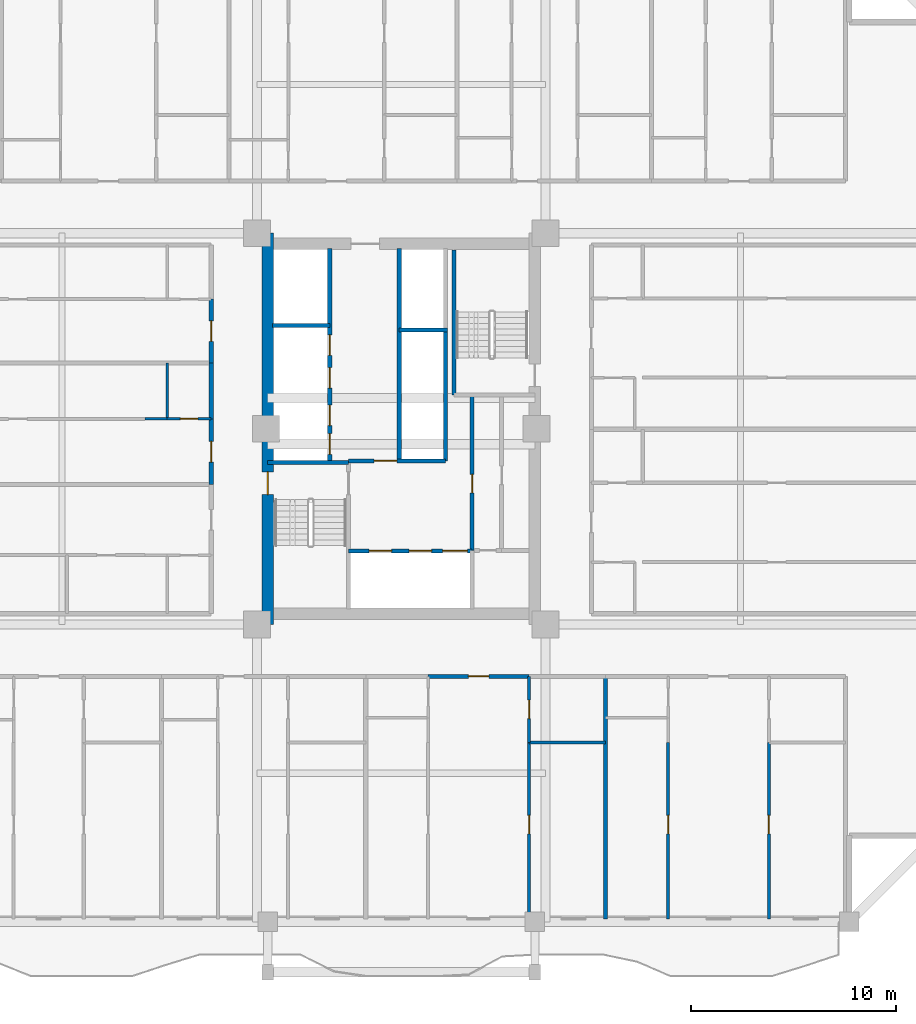
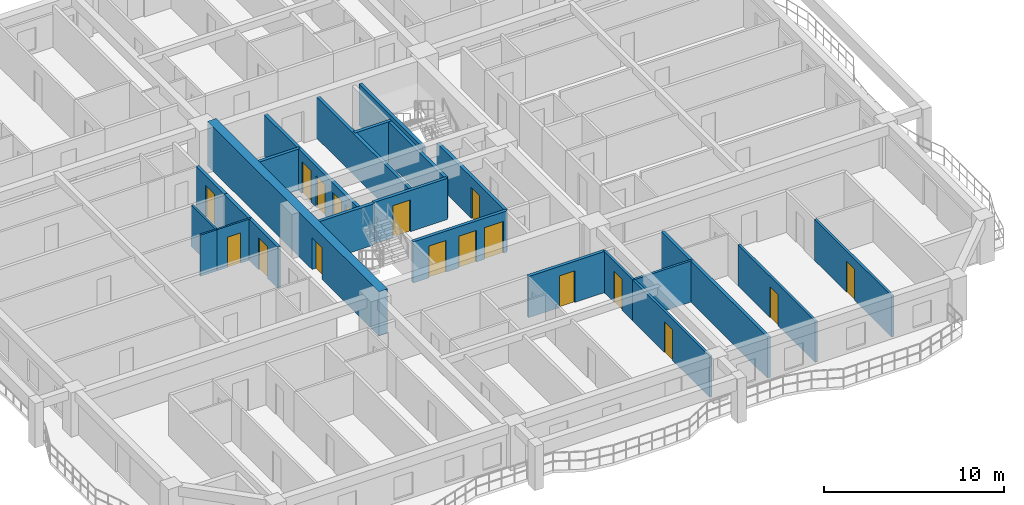
# One storey, part 4 of 14: 24 walls, 18 doors, 18 openings.
"""IFC4 building model written with IfcOpenShell, lengths in metres."""

from ifc_helpers import new_model, si_unit, direction, frame, frame_2d, origin, place, context, subcontext, project, spatial, rectangle, extrude, source, transform, mapped, material, layer, layer_set, type_object, element, fill, save


model = new_model("IFC4")

# Units and contexts
model_context = context("Model", 3, precision=1e-05, world=origin(), true_north=direction((0.0, 1.0)))
body_context = subcontext(model_context, "Body", "Model", "MODEL_VIEW")
ifc_project = project(units=[si_unit("LENGTHUNIT", "METRE"), si_unit("AREAUNIT", "SQUARE_METRE"), si_unit("VOLUMEUNIT", "CUBIC_METRE"), si_unit("PLANEANGLEUNIT", "RADIAN"), si_unit("MASSUNIT", "GRAM", prefix="KILO")], contexts=[model_context])

# Site, building, storey
site_placement = place(None, origin())
site = spatial("IfcSite", under=ifc_project, at=site_placement, CompositionType="ELEMENT")
building_placement = place(site_placement, origin())
building = spatial("IfcBuilding", under=site, at=building_placement, Name="Saelheon Loggia Tower", CompositionType="ELEMENT")
storey_placement = place(building_placement, frame((0.0, 0.0, 86.85009765625)))
storey = spatial("IfcBuildingStorey", under=building, at=storey_placement, Name="L27", CompositionType="ELEMENT", Elevation=86.85009765625)

# Wall, opening, door
ifc_material_1 = material(Name="Concrete C50/60", Category="concrete")
ifc_layer_1 = layer(ifc_material_1, 0.550048828125)
ifc_layer_set_1 = layer_set([ifc_layer_1], Name="Concrete C50/60")
wall_type_1 = type_object("IfcWallType", Name="Wall_CoreShear_550", PredefinedType="SHEAR", material=ifc_layer_set_1)
wall_1_placement = place(storey_placement, frame((31.5, 17.47998046875, 0.0), z_axis=(0.0, 0.0, 1.0), x_axis=(0.0, 1.0, 0.0)))
wall_1 = element("IfcWall", 1, at=wall_1_placement, inside=storey, type_object=wall_type_1, Name="L27 Core Shear Wall West", PredefinedType="SHEAR", context=body_context, shape_type="SweptSolid", body=[
    extrude(rectangle(XDim=19.0400390625, YDim=0.550048828125, at=frame_2d((9.52001953125, 0.0))), origin(), (0.0, 0.0, 1.0), 3.0),
])
opening_1_placement = place(wall_1_placement, frame((6.320068359375, 0.0, 0.0)))
opening_1 = element("IfcOpeningElement", 2, at=opening_1_placement, cuts=wall_1, Name="Opening D-FD2", PredefinedType="OPENING", context=body_context, shape_type="SweptSolid", body=[
    extrude(rectangle(XDim=1.10009765625, YDim=2.14990234375, at=frame_2d((0.550048828125, 1.074951171875))), frame((0.0, 0.287109375, 0.0), z_axis=(0.0, -1.0, 0.0), x_axis=(1.0, 0.0, 0.0)), (0.0, 0.0, 1.0), 0.573974609375),
])
ifc_material_2 = material(Name="Galvanised Steel Fire Door", Category="steel")
door_type_1 = type_object("IfcDoorType", Name="Door_Fire_FD60_1100", OperationType="NOTDEFINED", PredefinedType="DOOR", material=ifc_material_2)
shared_shape_1 = source(origin(), body_context, "Body", "SweptSolid", [
    extrude(rectangle(XDim=1.10009765625, YDim=2.14990234375, at=frame_2d((0.550048828125, 1.074951171875))), frame((0.0, 0.02490234375, 0.0), z_axis=(0.0, -1.0, 0.0), x_axis=(1.0, 0.0, 0.0)), (0.0, 0.0, 1.0), 0.050048828125),
])
door_1_placement = place(opening_1_placement, origin())
door_1 = element("IfcDoor", 3, at=door_1_placement, inside=storey, type_object=door_type_1, Name="L27 Stair ST1 Corridor Door", OperationType="SINGLE_SWING_LEFT", OverallHeight=2.14990234375, OverallWidth=1.10009765625, PredefinedType="DOOR", context=body_context, shape_type="MappedRepresentation", body=[
    mapped(shared_shape_1, transform((0.0, 0.0, 0.0), scale=1.0)),
])
fill(opening_1, door_1)

# Wall
ifc_material_3 = material(Name="Lightweight Autoclaved Aerated Concrete Block and Acoustic Gypsum", Category="concrete")
ifc_layer_2 = layer(ifc_material_3, 0.14990234375)
ifc_layer_set_2 = layer_set([ifc_layer_2], Name="Lightweight Autoclaved Aerated Concrete Block and Acoustic Gypsum")
wall_type_2 = type_object("IfcWallType", Name="Wall_Part_150", PredefinedType="PARTITIONING", material=ifc_layer_set_2)
wall_2_placement = place(storey_placement, frame((44.219970703125, 11.72998046875, 0.0), z_axis=(0.0, 0.0, 1.0), x_axis=(1.0, 0.0, 0.0)))
element("IfcWall", 4, at=wall_2_placement, inside=storey, type_object=wall_type_2, Name="L27 S Partition V29", PredefinedType="PARTITIONING", context=body_context, shape_type="SweptSolid", body=[
    extrude(rectangle(XDim=3.725341796875, YDim=0.14990234375, at=frame_2d((1.86279296875, 0.0))), origin(), (0.0, 0.0, 1.0), 2.789794921875),
])

# Wall, opening, door
wall_3_placement = place(storey_placement, frame((44.219970703125, 14.949951171875, 0.0), z_axis=(0.0, 0.0, 1.0), x_axis=(0.0, -1.0, 0.0)))
wall_3 = element("IfcWall", 5, at=wall_3_placement, inside=storey, type_object=wall_type_2, Name="L27 S Partition U33", PredefinedType="PARTITIONING", context=body_context, shape_type="SweptSolid", body=[
    extrude(rectangle(XDim=3.219970703125, YDim=0.14990234375, at=frame_2d((1.60986328125, 0.0))), origin(), (0.0, 0.0, 1.0), 2.789794921875),
])
opening_2_placement = place(wall_3_placement, frame((1.159912109375, 0.0, 0.0)))
opening_2 = element("IfcOpeningElement", 6, at=opening_2_placement, cuts=wall_3, Name="Opening D-IN2", PredefinedType="OPENING", context=body_context, shape_type="SweptSolid", body=[
    extrude(rectangle(XDim=0.89990234375, YDim=2.10009765625, at=frame_2d((0.449951171875, 1.050048828125))), frame((0.0, 0.0869140625, 0.0), z_axis=(0.0, -1.0, 0.0), x_axis=(1.0, 0.0, 0.0)), (0.0, 0.0, 1.0), 0.173828125),
])
ifc_material_4 = material(Name="Engineered Oak Flush Door", Category="timber")
door_type_2 = type_object("IfcDoorType", Name="Door_Int_900", OperationType="NOTDEFINED", PredefinedType="DOOR", material=ifc_material_4)
shared_shape_2 = source(origin(), body_context, "Body", "SweptSolid", [
    extrude(rectangle(XDim=0.89990234375, YDim=2.10009765625, at=frame_2d((0.449951171875, 1.050048828125))), frame((0.0, 0.02490234375, 0.0), z_axis=(0.0, -1.0, 0.0), x_axis=(1.0, 0.0, 0.0)), (0.0, 0.0, 1.0), 0.050048828125),
])
door_2_placement = place(opening_2_placement, origin())
door_2 = element("IfcDoor", 7, at=door_2_placement, inside=storey, type_object=door_type_2, Name="Unit U03 Kitchen Door", OperationType="SINGLE_SWING_RIGHT", OverallHeight=2.10009765625, OverallWidth=0.89990234375, PredefinedType="DOOR", context=body_context, shape_type="MappedRepresentation", body=[
    mapped(shared_shape_2, transform((0.0, 0.0, 0.0), scale=1.0)),
])
fill(opening_2, door_2)

wall_4_placement = place(storey_placement, frame((44.219970703125, 11.72998046875, 0.0), z_axis=(0.0, 0.0, 1.0), x_axis=(0.0, -1.0, 0.0)))
wall_4 = element("IfcWall", 8, at=wall_4_placement, inside=storey, type_object=wall_type_2, Name="L27 S Partition U34", PredefinedType="PARTITIONING", context=body_context, shape_type="SweptSolid", body=[
    extrude(rectangle(XDim=8.580078125, YDim=0.14990234375, at=frame_2d((4.2900390625, 0.0))), origin(), (0.0, 0.0, 1.0), 2.789794921875),
])
opening_3_placement = place(wall_4_placement, frame((3.5400390625, 0.0, 0.0)))
opening_3 = element("IfcOpeningElement", 9, at=opening_3_placement, cuts=wall_4, Name="Opening D-IN2", PredefinedType="OPENING", context=body_context, shape_type="SweptSolid", body=[
    extrude(rectangle(XDim=0.89990234375, YDim=2.10009765625, at=frame_2d((0.449951171875, 1.050048828125))), frame((0.0, 0.0869140625, 0.0), z_axis=(0.0, -1.0, 0.0), x_axis=(1.0, 0.0, 0.0)), (0.0, 0.0, 1.0), 0.173828125),
])
door_3_placement = place(opening_3_placement, origin())
door_3 = element("IfcDoor", 10, at=door_3_placement, inside=storey, type_object=door_type_2, Name="Unit U03 Bedroom 1 Door", OperationType="SINGLE_SWING_LEFT", OverallHeight=2.10009765625, OverallWidth=0.89990234375, PredefinedType="DOOR", context=body_context, shape_type="MappedRepresentation", body=[
    mapped(shared_shape_2, transform((0.0, 0.0, 0.0), scale=1.0)),
])
fill(opening_3, door_3)

wall_5_placement = place(storey_placement, frame((50.980712890625, 11.72998046875, 0.0), z_axis=(0.0, 0.0, 1.0), x_axis=(0.0, -1.0, 0.0)))
wall_5 = element("IfcWall", 11, at=wall_5_placement, inside=storey, type_object=wall_type_2, Name="L27 S Partition U43", PredefinedType="PARTITIONING", context=body_context, shape_type="SweptSolid", body=[
    extrude(rectangle(XDim=8.580078125, YDim=0.14990234375, at=frame_2d((4.2900390625, 0.0))), origin(), (0.0, 0.0, 1.0), 2.789794921875),
])
opening_4_placement = place(wall_5_placement, frame((3.5400390625, 0.0, 0.0)))
opening_4 = element("IfcOpeningElement", 12, at=opening_4_placement, cuts=wall_5, Name="Opening D-IN2", PredefinedType="OPENING", context=body_context, shape_type="SweptSolid", body=[
    extrude(rectangle(XDim=0.89990234375, YDim=2.10009765625, at=frame_2d((0.449951171875, 1.050048828125))), frame((0.0, 0.0869140625, 0.0), z_axis=(0.0, -1.0, 0.0), x_axis=(1.0, 0.0, 0.0)), (0.0, 0.0, 1.0), 0.173828125),
])
door_4_placement = place(opening_4_placement, origin())
door_4 = element("IfcDoor", 13, at=door_4_placement, inside=storey, type_object=door_type_2, Name="Unit U04 Bedroom 2 Door", OperationType="SINGLE_SWING_RIGHT", OverallHeight=2.10009765625, OverallWidth=0.89990234375, PredefinedType="DOOR", context=body_context, shape_type="MappedRepresentation", body=[
    mapped(shared_shape_2, transform((0.0, 0.0, 0.0), scale=1.0)),
])
fill(opening_4, door_4)

wall_6_placement = place(storey_placement, frame((55.884033203125, 11.72998046875, 0.0), z_axis=(0.0, 0.0, 1.0), x_axis=(0.0, -1.0, 0.0)))
wall_6 = element("IfcWall", 14, at=wall_6_placement, inside=storey, type_object=wall_type_2, Name="L27 S Partition U45", PredefinedType="PARTITIONING", context=body_context, shape_type="SweptSolid", body=[
    extrude(rectangle(XDim=8.580078125, YDim=0.14990234375, at=frame_2d((4.2900390625, 0.0))), origin(), (0.0, 0.0, 1.0), 2.789794921875),
])
opening_5_placement = place(wall_6_placement, frame((3.5400390625, 0.0, 0.0)))
opening_5 = element("IfcOpeningElement", 15, at=opening_5_placement, cuts=wall_6, Name="Opening D-IN2", PredefinedType="OPENING", context=body_context, shape_type="SweptSolid", body=[
    extrude(rectangle(XDim=0.89990234375, YDim=2.10009765625, at=frame_2d((0.449951171875, 1.050048828125))), frame((0.0, 0.0869140625, 0.0), z_axis=(0.0, -1.0, 0.0), x_axis=(1.0, 0.0, 0.0)), (0.0, 0.0, 1.0), 0.173828125),
])
door_5_placement = place(opening_5_placement, origin())
door_5 = element("IfcDoor", 16, at=door_5_placement, inside=storey, type_object=door_type_2, Name="Unit U04 Bedroom 1 Door", OperationType="SINGLE_SWING_RIGHT", OverallHeight=2.10009765625, OverallWidth=0.89990234375, PredefinedType="DOOR", context=body_context, shape_type="MappedRepresentation", body=[
    mapped(shared_shape_2, transform((0.0, 0.0, 0.0), scale=1.0)),
])
fill(opening_5, door_5)

ifc_material_5 = material(Name="Double Acoustic Stud and Fireboard Partition", Category="gypsum")
ifc_layer_3 = layer(ifc_material_5, 0.199951171875)
ifc_layer_set_3 = layer_set([ifc_layer_3], Name="Double Acoustic Stud and Fireboard Partition")
wall_type_3 = type_object("IfcWallType", Name="Wall_Party_200", PredefinedType="PARTITIONING", material=ifc_layer_set_3)
wall_7_placement = place(storey_placement, frame((39.305908203125, 14.949951171875, 0.0), z_axis=(0.0, 0.0, 1.0), x_axis=(1.0, 0.0, 0.0)))
wall_7 = element("IfcWall", 17, at=wall_7_placement, inside=storey, type_object=wall_type_3, Name="L27 S Partition V26", PredefinedType="PARTITIONING", context=body_context, shape_type="SweptSolid", body=[
    extrude(rectangle(XDim=4.9140625, YDim=0.199951171875, at=frame_2d((2.45703125, 0.0))), origin(), (0.0, 0.0, 1.0), 2.789794921875),
])
opening_6_placement = place(wall_7_placement, frame((1.95703125, 0.0, 0.0)))
opening_6 = element("IfcOpeningElement", 18, at=opening_6_placement, cuts=wall_7, Name="Opening D-FD1", PredefinedType="OPENING", context=body_context, shape_type="SweptSolid", body=[
    extrude(rectangle(XDim=1.0, YDim=2.14990234375, at=frame_2d((0.5, 1.074951171875))), frame((0.0, 0.112060546875, 0.0), z_axis=(0.0, -1.0, 0.0), x_axis=(1.0, 0.0, 0.0)), (0.0, 0.0, 1.0), 0.223876953125),
])
ifc_material_6 = material(Name="Fire-Rated Engineered Timber Entrance Door", Category="wood")
door_type_3 = type_object("IfcDoorType", Name="Door_Flat_FD30S", OperationType="NOTDEFINED", PredefinedType="DOOR", material=ifc_material_6)
shared_shape_3 = source(origin(), body_context, "Body", "SweptSolid", [
    extrude(rectangle(XDim=1.0, YDim=2.14990234375, at=frame_2d((0.5, 1.074951171875))), frame((0.0, 0.02490234375, 0.0), z_axis=(0.0, -1.0, 0.0), x_axis=(1.0, 0.0, 0.0)), (0.0, 0.0, 1.0), 0.050048828125),
])
door_6_placement = place(opening_6_placement, origin())
door_6 = element("IfcDoor", 19, at=door_6_placement, inside=storey, type_object=door_type_3, Name="Unit U03 Entrance Door", OperationType="SINGLE_SWING_LEFT", OverallHeight=2.14990234375, OverallWidth=1.0, PredefinedType="DOOR", context=body_context, shape_type="MappedRepresentation", body=[
    mapped(shared_shape_3, transform((0.0, 0.0, 0.0), scale=1.0)),
])
fill(opening_6, door_6)

# Wall
wall_8_placement = place(storey_placement, frame((47.9453125, 14.949951171875, 0.0), z_axis=(0.0, 0.0, 1.0), x_axis=(0.0, -1.0, 0.0)))
element("IfcWall", 20, at=wall_8_placement, inside=storey, type_object=wall_type_3, Name="L27 S Partition U35", PredefinedType="PARTITIONING", context=body_context, shape_type="SweptSolid", body=[
    extrude(rectangle(XDim=11.800048828125, YDim=0.199951171875, at=frame_2d((5.89990234375, 0.0))), origin(), (0.0, 0.0, 1.0), 2.789794921875),
])

# Wall, opening, door
wall_9_placement = place(storey_placement, frame((28.75, 24.282470703125, 0.0), z_axis=(0.0, 0.0, 1.0), x_axis=(0.0, 1.0, 0.0)))
wall_9 = element("IfcWall", 21, at=wall_9_placement, inside=storey, type_object=wall_type_3, Name="L27 W Partition V12", PredefinedType="PARTITIONING", context=body_context, shape_type="SweptSolid", body=[
    extrude(rectangle(XDim=3.19873046875, YDim=0.199951171875, at=frame_2d((1.599365234375, 0.0))), origin(), (0.0, 0.0, 1.0), 2.789794921875),
])
opening_7_placement = place(wall_9_placement, frame((1.099365234375, 0.0, 0.0)))
opening_7 = element("IfcOpeningElement", 22, at=opening_7_placement, cuts=wall_9, Name="Opening D-FD1", PredefinedType="OPENING", context=body_context, shape_type="SweptSolid", body=[
    extrude(rectangle(XDim=1.0, YDim=2.14990234375, at=frame_2d((0.5, 1.074951171875))), frame((0.0, 0.112060546875, 0.0), z_axis=(0.0, -1.0, 0.0), x_axis=(1.0, 0.0, 0.0)), (0.0, 0.0, 1.0), 0.223876953125),
])
door_7_placement = place(opening_7_placement, origin())
door_7 = element("IfcDoor", 23, at=door_7_placement, inside=storey, type_object=door_type_3, Name="Unit U10 Entrance Door", OperationType="SINGLE_SWING_RIGHT", OverallHeight=2.14990234375, OverallWidth=1.0, PredefinedType="DOOR", context=body_context, shape_type="MappedRepresentation", body=[
    mapped(shared_shape_3, transform((0.0, 0.0, 0.0), scale=1.0)),
])
fill(opening_7, door_7)

# Wall
wall_10_placement = place(storey_placement, frame((28.75, 27.481201171875, 0.0), z_axis=(0.0, 0.0, 1.0), x_axis=(0.0, 1.0, 0.0)))
element("IfcWall", 24, at=wall_10_placement, inside=storey, type_object=wall_type_3, Name="L27 W Partition V13", PredefinedType="PARTITIONING", context=body_context, shape_type="SweptSolid", body=[
    extrude(rectangle(XDim=2.724853515625, YDim=0.199951171875, at=frame_2d((1.3623046875, 0.0))), origin(), (0.0, 0.0, 1.0), 2.789794921875),
])

# Wall, opening, door
wall_11_placement = place(storey_placement, frame((28.75, 30.2060546875, 0.0), z_axis=(0.0, 0.0, 1.0), x_axis=(0.0, 1.0, 0.0)))
wall_11 = element("IfcWall", 25, at=wall_11_placement, inside=storey, type_object=wall_type_3, Name="L27 W Partition V19", PredefinedType="PARTITIONING", context=body_context, shape_type="SweptSolid", body=[
    extrude(rectangle(XDim=3.101806640625, YDim=0.199951171875, at=frame_2d((1.55078125, 0.0))), origin(), (0.0, 0.0, 1.0), 2.789794921875),
])
opening_8_placement = place(wall_11_placement, frame((1.05078125, 0.0, 0.0)))
opening_8 = element("IfcOpeningElement", 26, at=opening_8_placement, cuts=wall_11, Name="Opening D-FD1", PredefinedType="OPENING", context=body_context, shape_type="SweptSolid", body=[
    extrude(rectangle(XDim=1.0, YDim=2.14990234375, at=frame_2d((0.5, 1.074951171875))), frame((0.0, 0.112060546875, 0.0), z_axis=(0.0, -1.0, 0.0), x_axis=(1.0, 0.0, 0.0)), (0.0, 0.0, 1.0), 0.223876953125),
])
door_8_placement = place(opening_8_placement, origin())
door_8 = element("IfcDoor", 27, at=door_8_placement, inside=storey, type_object=door_type_3, Name="Unit U11 Entrance Door", OperationType="SINGLE_SWING_LEFT", OverallHeight=2.14990234375, OverallWidth=1.0, PredefinedType="DOOR", context=body_context, shape_type="MappedRepresentation", body=[
    mapped(shared_shape_3, transform((0.0, 0.0, 0.0), scale=1.0)),
])
fill(opening_8, door_8)

ifc_material_7 = material(Name="Concrete C40/50", Category="concrete")
ifc_layer_4 = layer(ifc_material_7, 0.199951171875)
ifc_layer_set_4 = layer_set([ifc_layer_4], Name="Concrete C40/50")
wall_type_4 = type_object("IfcWallType", Name="Wall_Shaft_200", PredefinedType="PARTITIONING", material=ifc_layer_set_4)
wall_12_placement = place(storey_placement, frame((41.449951171875, 21.080078125, 0.0), z_axis=(0.0, 0.0, 1.0), x_axis=(0.0, 1.0, 0.0)))
wall_12 = element("IfcWall", 28, at=wall_12_placement, inside=storey, type_object=wall_type_4, Name="CW-INT-L27-BOH-W1", PredefinedType="PARTITIONING", context=body_context, shape_type="SweptSolid", body=[
    extrude(rectangle(XDim=7.52001953125, YDim=0.199951171875, at=frame_2d((3.760009765625, 0.0))), origin(), (0.0, 0.0, 1.0), 2.789794921875),
])
opening_9_placement = place(wall_12_placement, frame((2.800048828125, 0.0, 0.0)))
opening_9 = element("IfcOpeningElement", 29, at=opening_9_placement, cuts=wall_12, Name="Opening D-RS1", PredefinedType="OPENING", context=body_context, shape_type="SweptSolid", body=[
    extrude(rectangle(XDim=0.89990234375, YDim=2.10009765625, at=frame_2d((0.449951171875, 1.050048828125))), frame((0.0, 0.112060546875, 0.0), z_axis=(0.0, -1.0, 0.0), x_axis=(1.0, 0.0, 0.0)), (0.0, 0.0, 1.0), 0.223876953125),
])
ifc_material_8 = material(Name="Galvanised Steel Riser Access Door", Category="steel")
door_type_4 = type_object("IfcDoorType", Name="Door_Riser_FD60", OperationType="NOTDEFINED", PredefinedType="DOOR", material=ifc_material_8)
door_9_placement = place(opening_9_placement, origin())
door_9 = element("IfcDoor", 30, at=door_9_placement, inside=storey, type_object=door_type_4, Name="L27 Service Store Door", OperationType="SINGLE_SWING_RIGHT", OverallHeight=2.10009765625, OverallWidth=0.89990234375, PredefinedType="DOOR", context=body_context, shape_type="MappedRepresentation", body=[
    mapped(shared_shape_2, transform((0.0, 0.0, 0.0), scale=1.0)),
])
fill(opening_9, door_9)

# Wall
wall_13_placement = place(storey_placement, frame((40.14990234375, 25.43994140625, 0.0), z_axis=(0.0, 0.0, 1.0), x_axis=(0.0, 1.0, 0.0)))
element("IfcWall", 31, at=wall_13_placement, inside=storey, type_object=wall_type_4, Name="L27 Core Service Passage West Wall", PredefinedType="PARTITIONING", context=body_context, shape_type="SweptSolid", body=[
    extrude(rectangle(XDim=6.360107421875, YDim=0.199951171875, at=frame_2d((3.18017578125, 0.0))), origin(), (0.0, 0.0, 1.0), 2.789794921875),
])

# Wall, openings, doors
wall_14_placement = place(storey_placement, frame((35.429931640625, 21.06005859375, 0.0), z_axis=(0.0, 0.0, 1.0), x_axis=(1.0, 0.0, 0.0)))
wall_14 = element("IfcWall", 32, at=wall_14_placement, inside=storey, type_object=wall_type_4, Name="L27 Firefighting Lift Shaft Front Wall", PredefinedType="PARTITIONING", context=body_context, shape_type="SweptSolid", body=[
    extrude(rectangle(XDim=6.02001953125, YDim=0.199951171875, at=frame_2d((3.010009765625, 0.0))), origin(), (0.0, 0.0, 1.0), 2.789794921875),
])
opening_10_placement = place(wall_14_placement, frame((1.0, 0.0, 0.0)))
opening_10 = element("IfcOpeningElement", 33, at=opening_10_placement, cuts=wall_14, Name="Opening LD2", PredefinedType="OPENING", context=body_context, shape_type="SweptSolid", body=[
    extrude(rectangle(XDim=1.10009765625, YDim=2.14990234375, at=frame_2d((0.550048828125, 1.074951171875))), frame((0.0, 0.112060546875, 0.0), z_axis=(0.0, -1.0, 0.0), x_axis=(1.0, 0.0, 0.0)), (0.0, 0.0, 1.0), 0.223876953125),
])
opening_11_placement = place(wall_14_placement, frame((2.949951171875, 0.0, 0.0)))
opening_11 = element("IfcOpeningElement", 34, at=opening_11_placement, cuts=wall_14, Name="Opening LD2", PredefinedType="OPENING", context=body_context, shape_type="SweptSolid", body=[
    extrude(rectangle(XDim=1.10009765625, YDim=2.14990234375, at=frame_2d((0.550048828125, 1.074951171875))), frame((0.0, 0.112060546875, 0.0), z_axis=(0.0, -1.0, 0.0), x_axis=(1.0, 0.0, 0.0)), (0.0, 0.0, 1.0), 0.223876953125),
])
opening_12_placement = place(wall_14_placement, frame((4.580078125, 0.0, 0.0)))
opening_12 = element("IfcOpeningElement", 35, at=opening_12_placement, cuts=wall_14, Name="Opening LD3", PredefinedType="OPENING", context=body_context, shape_type="SweptSolid", body=[
    extrude(rectangle(XDim=1.199951171875, YDim=2.14990234375, at=frame_2d((0.60009765625, 1.074951171875))), frame((0.0, 0.112060546875, 0.0), z_axis=(0.0, -1.0, 0.0), x_axis=(1.0, 0.0, 0.0)), (0.0, 0.0, 1.0), 0.223876953125),
])
ifc_material_9 = material(Name="Firefighting Stainless Steel 316 Landing Door", Category="steel")
door_type_5 = type_object("IfcDoorType", Name="Door_Lift_LD2", OperationType="DOUBLE_DOOR_SLIDING", PredefinedType="DOOR", material=ifc_material_9)
door_10_placement = place(opening_10_placement, origin())
door_10 = element("IfcDoor", 36, at=door_10_placement, inside=storey, type_object=door_type_5, Name="L27 FF1 Landing Door", OperationType="DOUBLE_DOOR_SLIDING", OverallHeight=2.14990234375, OverallWidth=1.10009765625, PredefinedType="DOOR", context=body_context, shape_type="MappedRepresentation", body=[
    mapped(shared_shape_1, transform((0.0, 0.0, 0.0), scale=1.0)),
])
fill(opening_10, door_10)
door_11_placement = place(opening_11_placement, origin())
door_11 = element("IfcDoor", 37, at=door_11_placement, inside=storey, type_object=door_type_5, Name="L27 FF2 Landing Door", OperationType="DOUBLE_DOOR_SLIDING", OverallHeight=2.14990234375, OverallWidth=1.10009765625, PredefinedType="DOOR", context=body_context, shape_type="MappedRepresentation", body=[
    mapped(shared_shape_1, transform((0.0, 0.0, 0.0), scale=1.0)),
])
fill(opening_11, door_11)
ifc_material_10 = material(Name="Stretcher Lift Stainless Steel 304 Landing Door", Category="steel")
door_type_6 = type_object("IfcDoorType", Name="Door_Lift_LD3", OperationType="DOUBLE_DOOR_SLIDING", PredefinedType="DOOR", material=ifc_material_10)
shared_shape_4 = source(origin(), body_context, "Body", "SweptSolid", [
    extrude(rectangle(XDim=1.199951171875, YDim=2.14990234375, at=frame_2d((0.60009765625, 1.074951171875))), frame((0.0, 0.02490234375, 0.0), z_axis=(0.0, -1.0, 0.0), x_axis=(1.0, 0.0, 0.0)), (0.0, 0.0, 1.0), 0.050048828125),
])
door_12_placement = place(opening_12_placement, origin())
door_12 = element("IfcDoor", 38, at=door_12_placement, inside=storey, type_object=door_type_6, Name="L27 SV1 Landing Door", OperationType="DOUBLE_DOOR_SLIDING", OverallHeight=2.14990234375, OverallWidth=1.199951171875, PredefinedType="DOOR", context=body_context, shape_type="MappedRepresentation", body=[
    mapped(shared_shape_4, transform((0.0, 0.0, 0.0), scale=1.0)),
])
fill(opening_12, door_12)

# Wall, opening, door
wall_15_placement = place(storey_placement, frame((35.429931640625, 25.43994140625, 0.0), z_axis=(0.0, 0.0, 1.0), x_axis=(1.0, 0.0, 0.0)))
wall_15 = element("IfcWall", 39, at=wall_15_placement, inside=storey, type_object=wall_type_4, Name="L27 Firefighting Lobby Compartment Wall", PredefinedType="PARTITIONING", context=body_context, shape_type="SweptSolid", body=[
    extrude(rectangle(XDim=4.719970703125, YDim=0.199951171875, at=frame_2d((2.35986328125, 0.0))), origin(), (0.0, 0.0, 1.0), 2.789794921875),
])
opening_13_placement = place(wall_15_placement, frame((1.25, 0.0, 0.0)))
opening_13 = element("IfcOpeningElement", 40, at=opening_13_placement, cuts=wall_15, Name="Opening D-FD2", PredefinedType="OPENING", context=body_context, shape_type="SweptSolid", body=[
    extrude(rectangle(XDim=1.10009765625, YDim=2.14990234375, at=frame_2d((0.550048828125, 1.074951171875))), frame((0.0, 0.112060546875, 0.0), z_axis=(0.0, -1.0, 0.0), x_axis=(1.0, 0.0, 0.0)), (0.0, 0.0, 1.0), 0.223876953125),
])
door_13_placement = place(opening_13_placement, origin())
door_13 = element("IfcDoor", 41, at=door_13_placement, inside=storey, type_object=door_type_1, Name="L27 Firefighting Lobby Door", OperationType="SINGLE_SWING_LEFT", OverallHeight=2.14990234375, OverallWidth=1.10009765625, PredefinedType="DOOR", context=body_context, shape_type="MappedRepresentation", body=[
    mapped(shared_shape_1, transform((0.0, 0.0, 0.0), scale=1.0)),
])
fill(opening_13, door_13)

# Wall, openings, doors
wall_16_placement = place(storey_placement, frame((34.52001953125, 25.43994140625, 0.0), z_axis=(0.0, 0.0, 1.0), x_axis=(0.0, 1.0, 0.0)))
wall_16 = element("IfcWall", 42, at=wall_16_placement, inside=storey, type_object=wall_type_4, Name="L27 West Passenger Lift Bank Wall", PredefinedType="PARTITIONING", context=body_context, shape_type="SweptSolid", body=[
    extrude(rectangle(XDim=10.340087890625, YDim=0.199951171875, at=frame_2d((5.169921875, 0.0))), origin(), (0.0, 0.0, 1.0), 2.789794921875),
])
opening_14_placement = place(wall_16_placement, frame((0.320068359375, 0.0, 0.0)))
opening_14 = element("IfcOpeningElement", 43, at=opening_14_placement, cuts=wall_16, Name="Opening LD1", PredefinedType="OPENING", context=body_context, shape_type="SweptSolid", body=[
    extrude(rectangle(XDim=1.0, YDim=2.14990234375, at=frame_2d((0.5, 1.074951171875))), frame((0.0, 0.112060546875, 0.0), z_axis=(0.0, -1.0, 0.0), x_axis=(1.0, 0.0, 0.0)), (0.0, 0.0, 1.0), 0.223876953125),
])
opening_15_placement = place(wall_16_placement, frame((1.7099609375, 0.0, 0.0)))
opening_15 = element("IfcOpeningElement", 44, at=opening_15_placement, cuts=wall_16, Name="Opening LD1", PredefinedType="OPENING", context=body_context, shape_type="SweptSolid", body=[
    extrude(rectangle(XDim=1.0, YDim=2.14990234375, at=frame_2d((0.5, 1.074951171875))), frame((0.0, 0.112060546875, 0.0), z_axis=(0.0, -1.0, 0.0), x_axis=(1.0, 0.0, 0.0)), (0.0, 0.0, 1.0), 0.223876953125),
])
opening_16_placement = place(wall_16_placement, frame((3.534912109375, 0.0, 0.0)))
opening_16 = element("IfcOpeningElement", 45, at=opening_16_placement, cuts=wall_16, Name="Opening LD1", PredefinedType="OPENING", context=body_context, shape_type="SweptSolid", body=[
    extrude(rectangle(XDim=1.0, YDim=2.14990234375, at=frame_2d((0.5, 1.074951171875))), frame((0.0, 0.112060546875, 0.0), z_axis=(0.0, -1.0, 0.0), x_axis=(1.0, 0.0, 0.0)), (0.0, 0.0, 1.0), 0.223876953125),
])
opening_17_placement = place(wall_16_placement, frame((5.135009765625, 0.0, 0.0)))
opening_17 = element("IfcOpeningElement", 46, at=opening_17_placement, cuts=wall_16, Name="Opening LD1", PredefinedType="OPENING", context=body_context, shape_type="SweptSolid", body=[
    extrude(rectangle(XDim=1.0, YDim=2.14990234375, at=frame_2d((0.5, 1.074951171875))), frame((0.0, 0.112060546875, 0.0), z_axis=(0.0, -1.0, 0.0), x_axis=(1.0, 0.0, 0.0)), (0.0, 0.0, 1.0), 0.223876953125),
])
ifc_material_11 = material(Name="Brushed Stainless Steel 304 Landing Door", Category="steel")
door_type_7 = type_object("IfcDoorType", Name="Door_Lift_LD1", OperationType="DOUBLE_DOOR_SLIDING", PredefinedType="DOOR", material=ifc_material_11)
door_14_placement = place(opening_14_placement, origin())
door_14 = element("IfcDoor", 47, at=door_14_placement, inside=storey, type_object=door_type_7, Name="L27 PL1 Landing Door", OperationType="DOUBLE_DOOR_SLIDING", OverallHeight=2.14990234375, OverallWidth=1.0, PredefinedType="DOOR", context=body_context, shape_type="MappedRepresentation", body=[
    mapped(shared_shape_3, transform((0.0, 0.0, 0.0), scale=1.0)),
])
fill(opening_14, door_14)
door_15_placement = place(opening_15_placement, origin())
door_15 = element("IfcDoor", 48, at=door_15_placement, inside=storey, type_object=door_type_7, Name="L27 PL2 Landing Door", OperationType="DOUBLE_DOOR_SLIDING", OverallHeight=2.14990234375, OverallWidth=1.0, PredefinedType="DOOR", context=body_context, shape_type="MappedRepresentation", body=[
    mapped(shared_shape_3, transform((0.0, 0.0, 0.0), scale=1.0)),
])
fill(opening_15, door_15)
door_16_placement = place(opening_16_placement, origin())
door_16 = element("IfcDoor", 49, at=door_16_placement, inside=storey, type_object=door_type_7, Name="L27 PL3 Landing Door", OperationType="DOUBLE_DOOR_SLIDING", OverallHeight=2.14990234375, OverallWidth=1.0, PredefinedType="DOOR", context=body_context, shape_type="MappedRepresentation", body=[
    mapped(shared_shape_3, transform((0.0, 0.0, 0.0), scale=1.0)),
])
fill(opening_16, door_16)
door_17_placement = place(opening_17_placement, origin())
door_17 = element("IfcDoor", 50, at=door_17_placement, inside=storey, type_object=door_type_7, Name="L27 PL4 Landing Door", OperationType="DOUBLE_DOOR_SLIDING", OverallHeight=2.14990234375, OverallWidth=1.0, PredefinedType="DOOR", context=body_context, shape_type="MappedRepresentation", body=[
    mapped(shared_shape_3, transform((0.0, 0.0, 0.0), scale=1.0)),
])
fill(opening_17, door_17)

# Walls
wall_17_placement = place(storey_placement, frame((31.719970703125, 32.02001953125, 0.0), z_axis=(0.0, 0.0, 1.0), x_axis=(1.0, 0.0, 0.0)))
element("IfcWall", 51, at=wall_17_placement, inside=storey, type_object=wall_type_4, Name="L27 West High-Rise Shaft Divider", PredefinedType="PARTITIONING", context=body_context, shape_type="SweptSolid", body=[
    extrude(rectangle(XDim=2.800048828125, YDim=0.199951171875, at=frame_2d((1.39990234375, 0.0))), origin(), (0.0, 0.0, 1.0), 2.789794921875),
])
wall_18_placement = place(storey_placement, frame((37.89990234375, 25.43994140625, 0.0), z_axis=(0.0, 0.0, 1.0), x_axis=(0.0, 1.0, 0.0)))
element("IfcWall", 52, at=wall_18_placement, inside=storey, type_object=wall_type_4, Name="L27 East Passenger Lift Bank Wall", PredefinedType="PARTITIONING", context=body_context, shape_type="SweptSolid", body=[
    extrude(rectangle(XDim=10.340087890625, YDim=0.199951171875, at=frame_2d((5.169921875, 0.0))), origin(), (0.0, 0.0, 1.0), 2.789794921875),
])
wall_19_placement = place(storey_placement, frame((37.89990234375, 31.800048828125, 0.0), z_axis=(0.0, 0.0, 1.0), x_axis=(1.0, 0.0, 0.0)))
element("IfcWall", 53, at=wall_19_placement, inside=storey, type_object=wall_type_4, Name="L27 East High-Rise Shaft Divider", PredefinedType="PARTITIONING", context=body_context, shape_type="SweptSolid", body=[
    extrude(rectangle(XDim=2.35009765625, YDim=0.199951171875, at=frame_2d((1.175048828125, 0.0))), origin(), (0.0, 0.0, 1.0), 2.789794921875),
])
ifc_material_12 = material(Name="Concrete C45/55", Category="concrete")
ifc_layer_5 = layer(ifc_material_12, 0.199951171875)
ifc_layer_set_5 = layer_set([ifc_layer_5], Name="Concrete C45/55")
wall_type_5 = type_object("IfcWallType", Name="Wall_StairShaft_RC200", PredefinedType="SOLIDWALL", material=ifc_layer_set_5)
wall_20_placement = place(storey_placement, frame((31.5, 25.35009765625, 0.0), z_axis=(0.0, 0.0, 1.0), x_axis=(1.0, 0.0, 0.0)))
element("IfcWall", 54, at=wall_20_placement, inside=storey, type_object=wall_type_5, Name="L27 Stair ST1 North Wall", PredefinedType="SOLIDWALL", context=body_context, shape_type="SweptSolid", body=[
    extrude(rectangle(XDim=3.929931640625, YDim=0.199951171875, at=frame_2d((1.96484375, 0.0))), origin(), (0.0, 0.0, 1.0), 2.789794921875),
])
wall_21_placement = place(storey_placement, frame((40.570068359375, 28.64990234375, 0.0), z_axis=(0.0, 0.0, 1.0), x_axis=(0.0, 1.0, 0.0)))
element("IfcWall", 55, at=wall_21_placement, inside=storey, type_object=wall_type_5, Name="L27 Stair ST2 Shaft Wall", PredefinedType="SOLIDWALL", context=body_context, shape_type="SweptSolid", body=[
    extrude(rectangle(XDim=7.050048828125, YDim=0.199951171875, at=frame_2d((3.52490234375, 0.0))), origin(), (0.0, 0.0, 1.0), 2.789794921875),
])

# Wall, opening, door
ifc_material_13 = material(Name="Moisture-Resistant Cement Board Partition", Category="gypsum")
ifc_layer_6 = layer(ifc_material_13, 0.1201171875)
ifc_layer_set_6 = layer_set([ifc_layer_6], Name="Moisture-Resistant Cement Board Partition")
wall_type_6 = type_object("IfcWallType", Name="Wall_WetPart_120", PredefinedType="PARTITIONING", material=ifc_layer_set_6)
wall_22_placement = place(storey_placement, frame((28.75, 27.481201171875, 0.0), z_axis=(0.0, 0.0, 1.0), x_axis=(-1.0, 0.0, 0.0)))
wall_22 = element("IfcWall", 56, at=wall_22_placement, inside=storey, type_object=wall_type_6, Name="L27 W Partition U14", PredefinedType="PARTITIONING", context=body_context, shape_type="SweptSolid", body=[
    extrude(rectangle(XDim=2.14990234375, YDim=0.1201171875, at=frame_2d((1.074951171875, 0.0))), origin(), (0.0, 0.0, 1.0), 2.789794921875),
])
opening_18_placement = place(wall_22_placement, frame((0.64990234375, 0.0, 0.0)))
opening_18 = element("IfcOpeningElement", 57, at=opening_18_placement, cuts=wall_22, Name="Opening D-BT1", PredefinedType="OPENING", context=body_context, shape_type="SweptSolid", body=[
    extrude(rectangle(XDim=0.85009765625, YDim=2.050048828125, at=frame_2d((0.425048828125, 1.02490234375))), frame((0.0, 0.072021484375, 0.0), z_axis=(0.0, -1.0, 0.0), x_axis=(1.0, 0.0, 0.0)), (0.0, 0.0, 1.0), 0.14404296875),
])
ifc_material_14 = material(Name="Moisture-Resistant Laminate Timber Door", Category="wood")
door_type_8 = type_object("IfcDoorType", Name="Door_Bath_850", OperationType="NOTDEFINED", PredefinedType="DOOR", material=ifc_material_14)
shared_shape_5 = source(origin(), body_context, "Body", "SweptSolid", [
    extrude(rectangle(XDim=0.85009765625, YDim=2.050048828125, at=frame_2d((0.425048828125, 1.02490234375))), frame((0.0, 0.02490234375, 0.0), z_axis=(0.0, -1.0, 0.0), x_axis=(1.0, 0.0, 0.0)), (0.0, 0.0, 1.0), 0.050048828125),
])
door_18_placement = place(opening_18_placement, origin())
door_18 = element("IfcDoor", 58, at=door_18_placement, inside=storey, type_object=door_type_8, Name="Unit U10 Bathroom Door", OperationType="SINGLE_SWING_LEFT", OverallHeight=2.050048828125, OverallWidth=0.85009765625, PredefinedType="DOOR", context=body_context, shape_type="MappedRepresentation", body=[
    mapped(shared_shape_5, transform((0.0, 0.0, 0.0), scale=1.0)),
])
fill(opening_18, door_18)

# Walls
wall_23_placement = place(storey_placement, frame((26.60009765625, 27.481201171875, 0.0), z_axis=(0.0, 0.0, 1.0), x_axis=(-1.0, 0.0, 0.0)))
element("IfcWall", 59, at=wall_23_placement, inside=storey, type_object=wall_type_6, Name="L27 W Partition U15", PredefinedType="PARTITIONING", context=body_context, shape_type="SweptSolid", body=[
    extrude(rectangle(XDim=1.070068359375, YDim=0.1201171875, at=frame_2d((0.53515625, 0.0))), origin(), (0.0, 0.0, 1.0), 2.789794921875),
])
wall_24_placement = place(storey_placement, frame((26.60009765625, 27.481201171875, 0.0), z_axis=(0.0, 0.0, 1.0), x_axis=(0.0, 1.0, 0.0)))
element("IfcWall", 60, at=wall_24_placement, inside=storey, type_object=wall_type_6, Name="L27 W Partition V16", PredefinedType="PARTITIONING", context=body_context, shape_type="SweptSolid", body=[
    extrude(rectangle(XDim=2.724853515625, YDim=0.1201171875, at=frame_2d((1.3623046875, 0.0))), origin(), (0.0, 0.0, 1.0), 2.789794921875),
])

save(model, "model.ifc")
